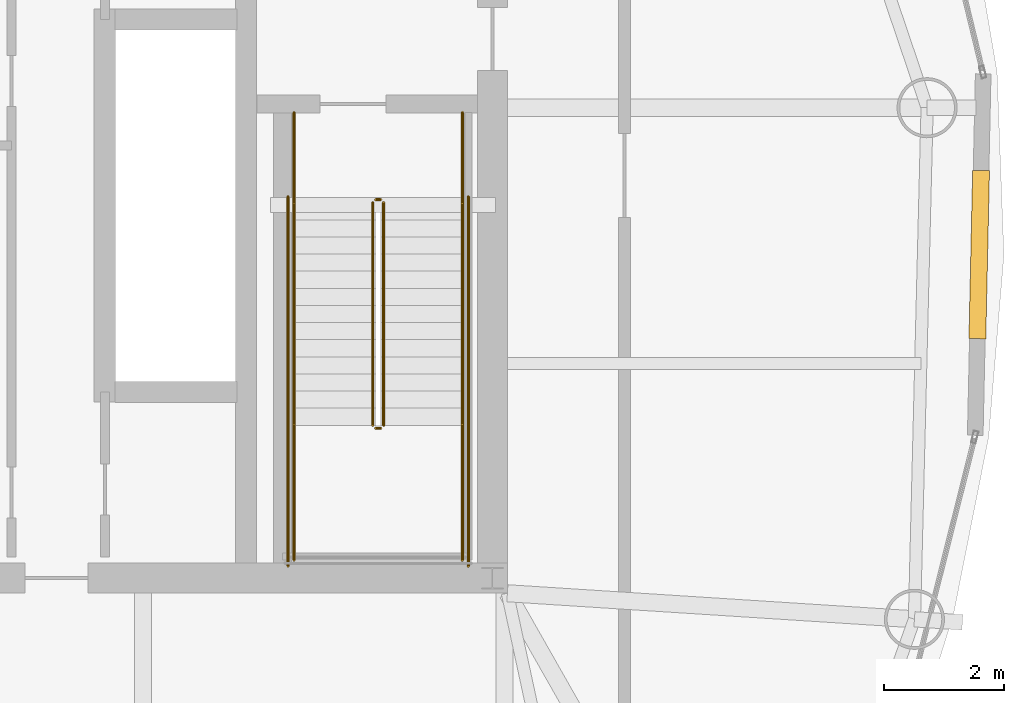
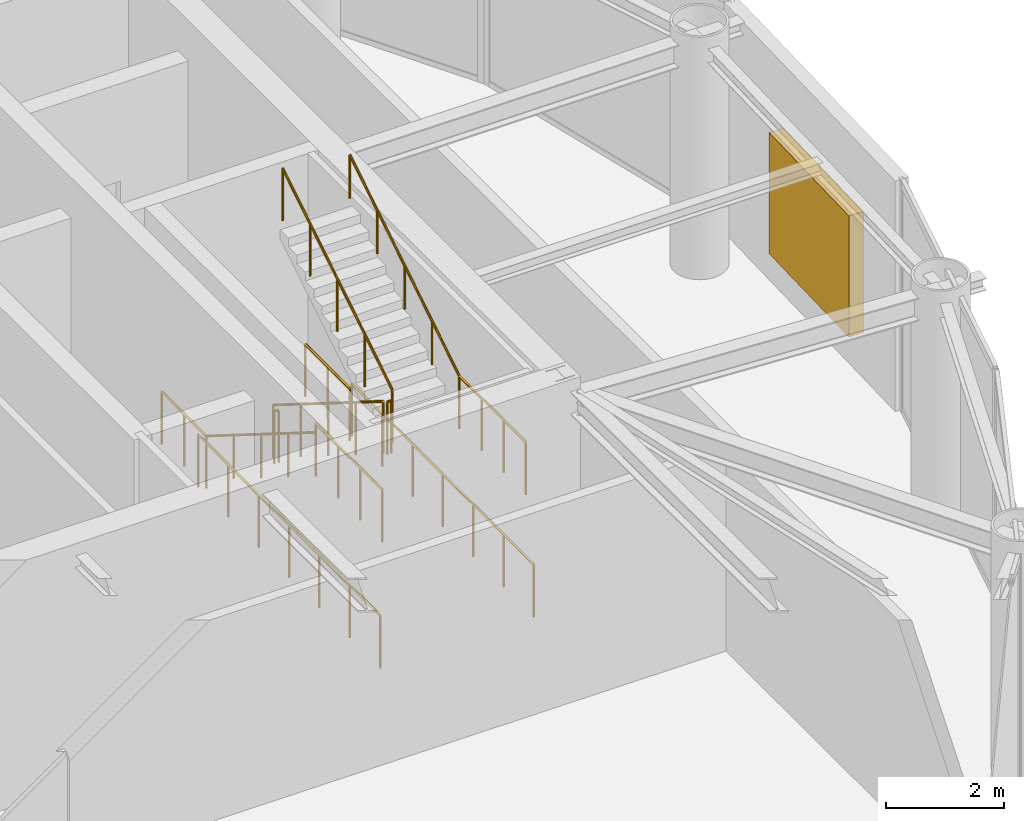
# One storey, part 22 of 23: 12 railings, 1 shading device.
"""IFC4 building model written with IfcOpenShell, lengths in metres."""

from ifc_helpers import new_model, si_unit, direction, frame, origin, origin_2d, place, context, subcontext, project, spatial, rectangle, circle, extrude, material, type_object, element, save


model = new_model("IFC4")

# Units and contexts
model_context = context("Model", 3, precision=1e-05, world=origin(), true_north=direction((0.0, 1.0)))
body_context = subcontext(model_context, "Body", "Model", "MODEL_VIEW")
ifc_project = project(units=[si_unit("LENGTHUNIT", "METRE"), si_unit("AREAUNIT", "SQUARE_METRE"), si_unit("VOLUMEUNIT", "CUBIC_METRE"), si_unit("PLANEANGLEUNIT", "RADIAN"), si_unit("MASSUNIT", "GRAM", prefix="KILO")], contexts=[model_context])

# Site, building, storey
site_placement = place(None, origin())
site = spatial("IfcSite", under=ifc_project, at=site_placement, CompositionType="ELEMENT")
building_placement = place(site_placement, origin())
building = spatial("IfcBuilding", under=site, at=building_placement, Name="Bramvorn Convention Spire", CompositionType="ELEMENT")
storey_placement = place(building_placement, frame((0.0, 0.0, 307.5)))
storey = spatial("IfcBuildingStorey", under=building, at=storey_placement, Name="L78", CompositionType="ELEMENT", Elevation=307.5)

# Railings
ifc_material_1 = material(Name="Painted Steel Balustrade & Guardrail", Category="steel")
railing_type_1 = type_object("IfcRailingType", Name="RL-STAIR-GUARD-1100", PredefinedType="GUARDRAIL", material=ifc_material_1)
railing_1_placement = place(storey_placement, frame((47.010009765625, 25.050048828125, 0.178466796875)))
element("IfcRailing", 1, at=railing_1_placement, inside=storey, type_object=railing_type_1, Name="L78 ST2 stair guard 1", PredefinedType="GUARDRAIL", context=body_context, shape_type="SweptSolid", body=[
    extrude(circle(Radius=0.02392578125, at=origin_2d()), frame((0.0, 0.0, 1.076171875), z_axis=(0.0, -0.847395460354, 0.530962271514), x_axis=(1.0, 0.0, 0.0)), (0.0, 0.0, 1.0), 4.372314453125),
    extrude(circle(Radius=0.02099609375, at=origin_2d()), origin(), (0.0, 0.0, 1.0), 1.052001953125),
    extrude(circle(Radius=0.02099609375, at=origin_2d()), frame((0.0, -0.92626953125, 0.580322265625)), (0.0, 0.0, 1.0), 1.052001953125),
    extrude(circle(Radius=0.02099609375, at=origin_2d()), frame((0.0, -1.8525390625, 1.16064453125)), (0.0, 0.0, 1.0), 1.052001953125),
    extrude(circle(Radius=0.02099609375, at=origin_2d()), frame((0.0, -2.77880859375, 1.7412109375)), (0.0, 0.0, 1.0), 1.052001953125),
    extrude(circle(Radius=0.02099609375, at=origin_2d()), frame((0.0, -3.705078125, 2.321533203125)), (0.0, 0.0, 1.0), 1.052001953125),
])
railing_2_placement = place(storey_placement, frame((47.06005859375, 21.294921875, 2.5)))
element("IfcRailing", 2, at=railing_2_placement, inside=storey, type_object=railing_type_1, Name="L78 ST2 stair guard 2", PredefinedType="GUARDRAIL", context=body_context, shape_type="SweptSolid", body=[
    extrude(circle(Radius=0.02392578125, at=origin_2d()), frame((0.0, 0.0, 1.076171875), z_axis=(1.0, 0.0, 0.0), x_axis=(0.0, 1.0, 0.0)), (0.0, 0.0, 1.0), 0.079833984375),
    extrude(circle(Radius=0.02099609375, at=origin_2d()), origin(), (0.0, 0.0, 1.0), 1.052001953125),
    extrude(circle(Radius=0.02099609375, at=origin_2d()), frame((0.079833984375, 0.0, 0.0)), (0.0, 0.0, 1.0), 1.052001953125),
])
for number, where, name in (
    (3, (45.699951171875, 21.344970703125, 2.5), "L78 ST2 stair guard 3"),
    (4, (48.5, 21.344970703125, 2.5), "L78 ST2 stair guard 4"),
):
    element("IfcRailing", number, at=place(storey_placement, frame(where)), inside=storey, type_object=railing_type_1, Name=name, PredefinedType="GUARDRAIL", context=body_context, shape_type="SweptSolid", body=[
        extrude(circle(Radius=0.02392578125, at=origin_2d()), frame((0.0, 0.0, 1.076171875), z_axis=(0.0, -1.0, 0.0), x_axis=(1.0, 0.0, 0.0)), (0.0, 0.0, 1.0), 2.244873046875),
        extrude(circle(Radius=0.02099609375, at=origin_2d()), origin(), (0.0, 0.0, 1.0), 1.052001953125),
        extrude(circle(Radius=0.02099609375, at=origin_2d()), frame((0.0, -0.748291015625, 0.0)), (0.0, 0.0, 1.0), 1.052001953125),
        extrude(circle(Radius=0.02099609375, at=origin_2d()), frame((0.0, -1.49658203125, 0.0)), (0.0, 0.0, 1.0), 1.052001953125),
        extrude(circle(Radius=0.02099609375, at=origin_2d()), frame((0.0, -2.244873046875, 0.0)), (0.0, 0.0, 1.0), 1.052001953125),
    ])
railing_3_placement = place(storey_placement, frame((47.18994140625, 21.344970703125, 2.678466796875)))
element("IfcRailing", 5, at=railing_3_placement, inside=storey, type_object=railing_type_1, Name="L78 ST2 stair guard 6", PredefinedType="GUARDRAIL", context=body_context, shape_type="SweptSolid", body=[
    extrude(circle(Radius=0.02392578125, at=origin_2d()), frame((0.0, 0.0, 1.076171875), z_axis=(0.0, 0.847395460354, 0.530962271514), x_axis=(-1.0, 0.0, 0.0)), (0.0, 0.0, 1.0), 4.372314453125),
    extrude(circle(Radius=0.02099609375, at=origin_2d()), origin(), (0.0, 0.0, 1.0), 1.052001953125),
    extrude(circle(Radius=0.02099609375, at=origin_2d()), frame((0.0, 0.92626953125, 0.580322265625)), (0.0, 0.0, 1.0), 1.052001953125),
    extrude(circle(Radius=0.02099609375, at=origin_2d()), frame((0.0, 1.8525390625, 1.16064453125)), (0.0, 0.0, 1.0), 1.052001953125),
    extrude(circle(Radius=0.02099609375, at=origin_2d()), frame((0.0, 2.77880859375, 1.7412109375)), (0.0, 0.0, 1.0), 1.052001953125),
    extrude(circle(Radius=0.02099609375, at=origin_2d()), frame((0.0, 3.705078125, 2.321533203125)), (0.0, 0.0, 1.0), 1.052001953125),
])
railing_4_placement = place(storey_placement, frame((47.06005859375, 25.10009765625, 0.0)))
element("IfcRailing", 6, at=railing_4_placement, inside=storey, type_object=railing_type_1, Name="L78 ST2 stair guard 7", PredefinedType="GUARDRAIL", context=body_context, shape_type="SweptSolid", body=[
    extrude(circle(Radius=0.02392578125, at=origin_2d()), frame((0.0, 0.0, 1.076171875), z_axis=(1.0, 0.0, 0.0), x_axis=(0.0, 1.0, 0.0)), (0.0, 0.0, 1.0), 0.079833984375),
    extrude(circle(Radius=0.02099609375, at=origin_2d()), origin(), (0.0, 0.0, 1.0), 1.052001953125),
    extrude(circle(Radius=0.02099609375, at=origin_2d()), frame((0.079833984375, 0.0, 0.0)), (0.0, 0.0, 1.0), 1.052001953125),
])
for number, where, name in (
    (7, (45.699951171875, 26.550048828125, 0.0), "L78 ST2 stair guard 8"),
    (8, (48.5, 26.550048828125, 0.0), "L78 ST2 stair guard 9"),
):
    element("IfcRailing", number, at=place(storey_placement, frame(where)), inside=storey, type_object=railing_type_1, Name=name, PredefinedType="GUARDRAIL", context=body_context, shape_type="SweptSolid", body=[
        extrude(circle(Radius=0.02392578125, at=origin_2d()), frame((0.0, 0.0, 1.076171875), z_axis=(0.0, -1.0, 0.0), x_axis=(1.0, 0.0, 0.0)), (0.0, 0.0, 1.0), 1.5),
        extrude(circle(Radius=0.02099609375, at=origin_2d()), origin(), (0.0, 0.0, 1.0), 1.052001953125),
        extrude(circle(Radius=0.02099609375, at=origin_2d()), frame((0.0, -0.75, 0.0)), (0.0, 0.0, 1.0), 1.052001953125),
        extrude(circle(Radius=0.02099609375, at=origin_2d()), frame((0.0, -1.5, 0.0)), (0.0, 0.0, 1.0), 1.052001953125),
    ])
for number, where, name in (
    (9, (45.60009765625, 25.14990234375, 0.0), "L78 ST2 stair guard 10"),
    (10, (48.60009765625, 25.14990234375, 0.0), "L78 ST2 stair guard 11"),
):
    element("IfcRailing", number, at=place(storey_placement, frame(where)), inside=storey, type_object=railing_type_1, Name=name, PredefinedType="GUARDRAIL", context=body_context, shape_type="SweptSolid", body=[
        extrude(circle(Radius=0.02392578125, at=origin_2d()), frame((0.0, 0.0, 1.076171875), z_axis=(0.0, -1.0, 0.0), x_axis=(1.0, 0.0, 0.0)), (0.0, 0.0, 1.0), 6.14990234375),
        extrude(circle(Radius=0.02099609375, at=origin_2d()), origin(), (0.0, 0.0, 1.0), 1.052001953125),
        extrude(circle(Radius=0.02099609375, at=origin_2d()), frame((0.0, -1.02490234375, 0.0)), (0.0, 0.0, 1.0), 1.052001953125),
        extrude(circle(Radius=0.02099609375, at=origin_2d()), frame((0.0, -2.050048828125, 0.0)), (0.0, 0.0, 1.0), 1.052001953125),
        extrude(circle(Radius=0.02099609375, at=origin_2d()), frame((0.0, -3.074951171875, 0.0)), (0.0, 0.0, 1.0), 1.052001953125),
        extrude(circle(Radius=0.02099609375, at=origin_2d()), frame((0.0, -4.099853515625, 0.0)), (0.0, 0.0, 1.0), 1.052001953125),
        extrude(circle(Radius=0.02099609375, at=origin_2d()), frame((0.0, -5.125, 0.0)), (0.0, 0.0, 1.0), 1.052001953125),
        extrude(circle(Radius=0.02099609375, at=origin_2d()), frame((0.0, -6.14990234375, 0.0)), (0.0, 0.0, 1.0), 1.052001953125),
    ])
ifc_material_2 = material(Name="Brushed Bronze Tubular Handrail", Category="aluminium")
railing_type_2 = type_object("IfcRailingType", Name="RL-STAIR-HR-920", PredefinedType="HANDRAIL", material=ifc_material_2)
railing_5_placement = place(storey_placement, frame((45.699951171875, 25.050048828125, 0.178466796875)))
element("IfcRailing", 11, at=railing_5_placement, inside=storey, type_object=railing_type_2, Name="L78 ST2 stair handrail 1", PredefinedType="HANDRAIL", context=body_context, shape_type="SweptSolid", body=[
    extrude(circle(Radius=0.02392578125, at=origin_2d()), frame((0.0, 0.0, 0.89599609375), z_axis=(0.0, -0.847395460354, 0.530962271514), x_axis=(1.0, 0.0, 0.0)), (0.0, 0.0, 1.0), 4.372314453125),
    extrude(circle(Radius=0.02099609375, at=origin_2d()), origin(), (0.0, 0.0, 1.0), 0.871826171875),
    extrude(circle(Radius=0.02099609375, at=origin_2d()), frame((0.0, -0.92626953125, 0.580322265625)), (0.0, 0.0, 1.0), 0.871826171875),
    extrude(circle(Radius=0.02099609375, at=origin_2d()), frame((0.0, -1.8525390625, 1.16064453125)), (0.0, 0.0, 1.0), 0.871826171875),
    extrude(circle(Radius=0.02099609375, at=origin_2d()), frame((0.0, -2.77880859375, 1.7412109375)), (0.0, 0.0, 1.0), 0.871826171875),
    extrude(circle(Radius=0.02099609375, at=origin_2d()), frame((0.0, -3.705078125, 2.321533203125)), (0.0, 0.0, 1.0), 0.871826171875),
])
railing_6_placement = place(storey_placement, frame((48.5, 21.344970703125, 2.678466796875)))
element("IfcRailing", 12, at=railing_6_placement, inside=storey, type_object=railing_type_2, Name="L78 ST2 stair handrail 2", PredefinedType="HANDRAIL", context=body_context, shape_type="SweptSolid", body=[
    extrude(circle(Radius=0.02392578125, at=origin_2d()), frame((0.0, 0.0, 0.89599609375), z_axis=(0.0, 0.847395460354, 0.530962271514), x_axis=(-1.0, 0.0, 0.0)), (0.0, 0.0, 1.0), 4.372314453125),
    extrude(circle(Radius=0.02099609375, at=origin_2d()), origin(), (0.0, 0.0, 1.0), 0.871826171875),
    extrude(circle(Radius=0.02099609375, at=origin_2d()), frame((0.0, 0.92626953125, 0.580322265625)), (0.0, 0.0, 1.0), 0.871826171875),
    extrude(circle(Radius=0.02099609375, at=origin_2d()), frame((0.0, 1.8525390625, 1.16064453125)), (0.0, 0.0, 1.0), 0.871826171875),
    extrude(circle(Radius=0.02099609375, at=origin_2d()), frame((0.0, 2.77880859375, 1.7412109375)), (0.0, 0.0, 1.0), 0.871826171875),
    extrude(circle(Radius=0.02099609375, at=origin_2d()), frame((0.0, 3.705078125, 2.321533203125)), (0.0, 0.0, 1.0), 0.871826171875),
])

# Shading device
ifc_material_3 = material(Name="Acoustic Storm-Proof Anodised Bronze Aluminium Louvre", Category="aluminium")
shading_device_type = type_object("IfcShadingDeviceType", Name="SHD-LOUVRE-PLANT", PredefinedType="JALOUSIE", material=ifc_material_3)
shading_device_placement = place(storey_placement, frame((57.1015625, 24.185546875, 0.550048828125), z_axis=(0.0, 0.0, 1.0), x_axis=(-0.022045394333, -0.999756970763, 0.0)))
element("IfcShadingDevice", 13, at=shading_device_placement, inside=storey, type_object=shading_device_type, Name="L78 plant intake/exhaust acoustic louvre 05", PredefinedType="JALOUSIE", context=body_context, shape_type="SweptSolid", body=[
    extrude(rectangle(XDim=2.800048828125, YDim=0.280029296875, at=origin_2d()), origin(), (0.0, 0.0, 1.0), 2.5),
])

save(model, "model.ifc")
